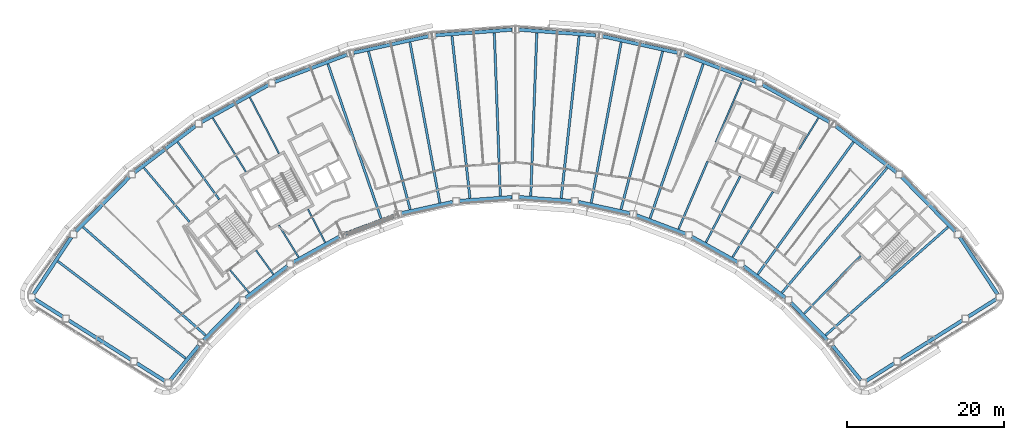
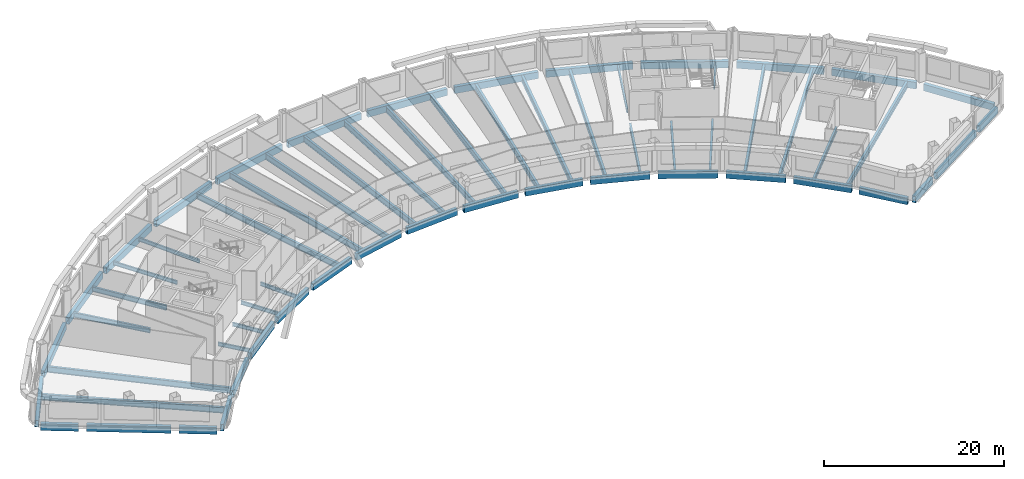
# One storey, part 3 of 16: 63 beams.
"""IFC4 building model written with IfcOpenShell, lengths in metres."""

import ifcopenshell
import ifcopenshell.guid

model = None  # the IFC model being written
_history = None  # IfcOwnerHistory: only IFC2X3 demands one
_inside = {}  # id of a spatial element -> (the spatial element, [elements in it])
_under = {}  # id of a project, library or spatial element -> (it, [spatial elements below it])
_declared = {}  # id of a project -> (the project, [libraries it declares])
_typed = {}  # id of a type object -> (the type object, [elements of that type])
_made_of = {}  # id of a material, layer set ... -> (it, [elements and type objects made of it])


def new_model(schema):
    """Start an empty IFC model of exactly this schema.

    Asked for "IFC4X3", IfcOpenShell would pick the latest addendum, in which some entities
    have other attributes; the version numbers below select the first issue.
    IFC2X3 requires an IfcOwnerHistory on every rooted entity: one is made here for all.
    """
    global model, _history
    if schema == "IFC4X3":
        model = ifcopenshell.file(schema_version=(4, 3, 0, 0))
    else:
        model = ifcopenshell.file(schema=schema)
    _inside.clear()
    _under.clear()
    _declared.clear()
    _typed.clear()
    _made_of.clear()
    _history = None
    if model.schema == "IFC2X3":
        org = make("IfcOrganization", Name="unknown")
        user = make(
            "IfcPersonAndOrganization",
            ThePerson=make("IfcPerson", FamilyName="unknown"),
            TheOrganization=org,
        )
        app = make(
            "IfcApplication",
            ApplicationDeveloper=org,
            Version="unknown",
            ApplicationFullName="unknown",
            ApplicationIdentifier="unknown",
        )
        _history = make(
            "IfcOwnerHistory",
            OwningUser=user,
            OwningApplication=app,
            ChangeAction="ADDED",
            CreationDate=0,
        )
    return model


def make(cls, **values):
    """One entity of the class cls with the attributes given. An attribute that is None is left unset."""
    return model.create_entity(
        cls, **{name: value for name, value in values.items() if value is not None}
    )


def rooted(cls, **values):
    """An entity with a GlobalId (a new one), such as an element, a storey or a relation."""
    return make(cls, GlobalId=ifcopenshell.guid.new(), OwnerHistory=_history, **values)


def si_unit(unit_type, name, prefix=None):
    """IfcSIUnit, for example si_unit("LENGTHUNIT", "METRE", prefix="MILLI")."""
    return make("IfcSIUnit", UnitType=unit_type, Prefix=prefix, Name=name)


def assignment(units):
    """IfcUnitAssignment: the units of a project."""
    return None if units is None else make("IfcUnitAssignment", Units=units)


def point(xyz):
    """IfcCartesianPoint."""
    return None if xyz is None else make("IfcCartesianPoint", Coordinates=xyz)


def direction(xyz):
    """IfcDirection."""
    return None if xyz is None else make("IfcDirection", DirectionRatios=xyz)


def frame(location, z_axis=None, x_axis=None):
    """IfcAxis2Placement3D, a coordinate frame: its origin and axes. An axis left out is left unset."""
    return make(
        "IfcAxis2Placement3D",
        Location=point(location),
        Axis=direction(z_axis),
        RefDirection=direction(x_axis),
    )


def frame_2d(location, x_axis=None):
    """IfcAxis2Placement2D, a coordinate frame in the plane: its origin and x axis."""
    return make(
        "IfcAxis2Placement2D", Location=point(location), RefDirection=direction(x_axis)
    )


def origin():
    """The frame at (0, 0, 0) with its axes left unset."""
    return frame((0.0, 0.0, 0.0))


def origin_2d():
    """The frame at (0, 0) in the plane with its x axis left unset."""
    return frame_2d((0.0, 0.0))


def place(relative_to, where):
    """IfcLocalPlacement: puts the frame where relative to a parent placement (None: the world)."""
    return make(
        "IfcLocalPlacement", PlacementRelTo=relative_to, RelativePlacement=where
    )


def context(
    kind, dimensions, precision=None, world=None, true_north=None, identifier=None
):
    """IfcGeometricRepresentationContext, for example the 3D "Model" context."""
    return make(
        "IfcGeometricRepresentationContext",
        ContextIdentifier=identifier,
        ContextType=kind,
        CoordinateSpaceDimension=dimensions,
        Precision=precision,
        WorldCoordinateSystem=world,
        TrueNorth=true_north,
    )


def subcontext(parent, identifier, kind, view, scale=None):
    """IfcGeometricRepresentationSubContext, for example "Body" below "Model"."""
    return make(
        "IfcGeometricRepresentationSubContext",
        ContextIdentifier=identifier,
        ContextType=kind,
        ParentContext=parent,
        TargetScale=scale,
        TargetView=view,
    )


def project(units=None, contexts=None):
    """IfcProject with its units and contexts."""
    return rooted(
        "IfcProject",
        Name="project",
        RepresentationContexts=contexts,
        UnitsInContext=assignment(units),
    )


def spatial(cls, under=None, at=None, **own):
    """A site, building, storey or space (cls), placed at a placement, below another one or the project."""
    s = rooted(cls, ObjectPlacement=at, **own)
    if under is not None:
        _under.setdefault(under.id(), (under, []))[1].append(s)
    return s


def profile(cls, at=None, kind="AREA", **sizes):
    """A parametric profile (cls). Its sizes go by their IFC names, for example OverallWidth=200.0."""
    return make(cls, ProfileType=kind, Position=at, **sizes)


def hollow_rectangle(**sizes):
    """IfcRectangleHollowProfileDef."""
    return profile("IfcRectangleHollowProfileDef", **sizes)


def i_section(**sizes):
    """IfcIShapeProfileDef."""
    return profile("IfcIShapeProfileDef", **sizes)


def extrude(swept, where, along, depth):
    """IfcExtrudedAreaSolid: the profile swept, set in the frame where, extruded along a direction by depth."""
    return make(
        "IfcExtrudedAreaSolid",
        SweptArea=swept,
        Position=where,
        ExtrudedDirection=direction(along),
        Depth=depth,
    )


def shape(context_of_items, identifier, shape_type, items):
    """IfcShapeRepresentation: the items that make up one representation, for example the "Body"."""
    return make(
        "IfcShapeRepresentation",
        ContextOfItems=context_of_items,
        RepresentationIdentifier=identifier,
        RepresentationType=shape_type,
        Items=items,
    )


def material(Name=None, Category=None):
    """IfcMaterial."""
    return make("IfcMaterial", Name=Name, Category=Category)


def material_profile(
    of_material, cross_section, Name=None, Category=None, Priority=None
):
    """IfcMaterialProfile: a cross section and its material."""
    return make(
        "IfcMaterialProfile",
        Name=Name,
        Material=of_material,
        Profile=cross_section,
        Priority=Priority,
        Category=Category,
    )


def profile_set(profiles, Name=None, composite=None):
    """IfcMaterialProfileSet."""
    return make(
        "IfcMaterialProfileSet",
        Name=Name,
        MaterialProfiles=profiles,
        CompositeProfile=composite,
    )


def made_of(thing, what):
    """Note that an element or type object is made of a material, layer set ...; save() writes the relation."""
    if what is not None:
        _made_of.setdefault(what.id(), (what, []))[1].append(thing)
    return thing


def type_object(cls, material=None, **own):
    """A type object (cls), such as IfcWallType, which elements share."""
    return made_of(rooted(cls, **own), material)


def element(
    cls,
    number,
    at=None,
    inside=None,
    cuts=None,
    type_object=None,
    material=None,
    context=None,
    identifier="Body",
    shape_type=None,
    held_by="IfcProductDefinitionShape",
    body=None,
    shapes=None,
    **own,
):
    """One element of the class cls, such as IfcWall. Its Tag is "e" and its number.

    at: its placement. inside: the storey or other place that contains it. cuts: it is an
    opening in that element (IfcRelVoidsElement). A single representation is given by context,
    identifier, shape_type and body (its items); several are given by shapes. held_by: the class
    of the entity that holds the representations. save() writes the other relations.
    """
    e = rooted(cls, Tag="e%d" % number, ObjectPlacement=at, **own)
    if body is not None:
        shapes = [shape(context, identifier, shape_type, body)]
    if shapes is not None:
        e.Representation = make(held_by, Representations=shapes)
    if inside is not None:
        _inside.setdefault(inside.id(), (inside, []))[1].append(e)
    if cuts is not None:
        rooted(
            "IfcRelVoidsElement", RelatingBuildingElement=cuts, RelatedOpeningElement=e
        )
    if type_object is not None:
        _typed.setdefault(type_object.id(), (type_object, []))[1].append(e)
    return made_of(e, material)


def aggregate(whole, parts):
    """IfcRelAggregates: a whole, such as a stair, and the parts it consists of."""
    return rooted("IfcRelAggregates", RelatingObject=whole, RelatedObjects=parts)


def save(model, path):
    """Write the relations noted so far, then the file.

    IfcRelAggregates (storeys below a building ...), IfcRelContainedInSpatialStructure (elements
    in a storey), IfcRelDefinesByType, IfcRelAssociatesMaterial and IfcRelDeclares: one each for
    every whole, place, type object, material and project.
    """
    for whole, parts in _under.values():
        aggregate(whole, parts)
    for where, things in _inside.values():
        rooted(
            "IfcRelContainedInSpatialStructure",
            RelatedElements=things,
            RelatingStructure=where,
        )
    for kind, things in _typed.values():
        rooted("IfcRelDefinesByType", RelatedObjects=things, RelatingType=kind)
    for what, things in _made_of.values():
        rooted("IfcRelAssociatesMaterial", RelatedObjects=things, RelatingMaterial=what)
    for by, libraries in _declared.values():
        rooted("IfcRelDeclares", RelatingContext=by, RelatedDefinitions=libraries)
    model.write(path)


model = new_model("IFC4")

# Units and contexts
model_context = context("Model", 3, precision=1e-05, world=origin(), true_north=direction((0.0, 1.0)))
body_context = subcontext(model_context, "Body", "Model", "MODEL_VIEW")
ifc_project = project(units=[si_unit("LENGTHUNIT", "METRE"), si_unit("AREAUNIT", "SQUARE_METRE"), si_unit("VOLUMEUNIT", "CUBIC_METRE"), si_unit("PLANEANGLEUNIT", "RADIAN"), si_unit("MASSUNIT", "GRAM", prefix="KILO")], contexts=[model_context])

# Site, building, storey
site_placement = place(None, origin())
site = spatial("IfcSite", under=ifc_project, at=site_placement, CompositionType="ELEMENT")
building_placement = place(site_placement, origin())
building = spatial("IfcBuilding", under=site, at=building_placement, Name="Tuul Gate Civic Tower", CompositionType="ELEMENT")
storey_placement = place(building_placement, frame((0.0, 0.0, 184.699951171875)))
storey = spatial("IfcBuildingStorey", under=building, at=storey_placement, Name="Level 42", CompositionType="ELEMENT", Elevation=184.699951171875)

# Beams
ifc_material_1 = material(Name="Steel S355", Category="steel")
ifc_material_profile_1 = material_profile(ifc_material_1, i_section(OverallWidth=0.199951171875, OverallDepth=0.5, WebThickness=0.010009765625, FlangeThickness=0.01611328125, at=origin_2d()), Name="PG500x200x10x16")
ifc_profile_set_1 = profile_set([ifc_material_profile_1], Name="Steel S355")
beam_type_1 = type_object("IfcBeamType", Name="STR-FLOOR BEAM-PG500x200x10x16", PredefinedType="BEAM", material=ifc_profile_set_1)
beam_1_placement = place(storey_placement, frame((37.12646484375, -1.677734375, -0.550048828125), z_axis=(0.524844644299, 0.85119803768, 0.0), x_axis=(-0.85119803768, 0.524844644299, 0.0)))
element("IfcBeam", 1, at=beam_1_placement, inside=storey, type_object=beam_type_1, Name="Floor beam", PredefinedType="BEAM", context=body_context, shape_type="SweptSolid", body=[
    extrude(i_section(OverallWidth=0.199951171875, OverallDepth=0.5, WebThickness=0.010009765625, FlangeThickness=0.01611328125, at=origin_2d()), origin(), (0.0, 0.0, 1.0), 4.683837890625),
])
beam_2_placement = place(storey_placement, frame((26.525390625, -0.75048828125, -0.550048828125), z_axis=(0.394205580746, 0.919022284882, 0.0), x_axis=(-0.919022284882, 0.394205580746, 0.0)))
element("IfcBeam", 2, at=beam_2_placement, inside=storey, type_object=beam_type_1, Name="Floor beam", PredefinedType="BEAM", context=body_context, shape_type="SweptSolid", body=[
    extrude(i_section(OverallWidth=0.199951171875, OverallDepth=0.5, WebThickness=0.010009765625, FlangeThickness=0.01611328125, at=origin_2d()), origin(), (0.0, 0.0, 1.0), 8.748046875),
])
beam_3_placement = place(storey_placement, frame((-23.281494140625, -13.532958984375, -0.550048828125), z_axis=(-0.460788847224, 0.887509796157, 0.0), x_axis=(-0.887509796157, -0.460788847224, 0.0)))
element("IfcBeam", 3, at=beam_3_placement, inside=storey, type_object=beam_type_1, Name="Floor beam", PredefinedType="BEAM", context=body_context, shape_type="SweptSolid", body=[
    extrude(i_section(OverallWidth=0.199951171875, OverallDepth=0.5, WebThickness=0.010009765625, FlangeThickness=0.01611328125, at=origin_2d()), origin(), (0.0, 0.0, 1.0), 4.75830078125),
])
beam_4_placement = place(storey_placement, frame((-29.16162109375, -2.207275390625, -0.550048828125), z_axis=(-0.460778504814, 0.887515165787, 0.0), x_axis=(-0.887515165787, -0.460778504814, 0.0)))
element("IfcBeam", 4, at=beam_4_placement, inside=storey, type_object=beam_type_1, Name="Floor beam", PredefinedType="BEAM", context=body_context, shape_type="SweptSolid", body=[
    extrude(i_section(OverallWidth=0.199951171875, OverallDepth=0.5, WebThickness=0.010009765625, FlangeThickness=0.01611328125, at=origin_2d()), origin(), (0.0, 0.0, 1.0), 8.046630859375),
])
beam_5_placement = place(storey_placement, frame((-26.676513671875, -15.414306640625, -0.550048828125), z_axis=(-0.524841029393, 0.851200266603, 0.0), x_axis=(-0.851200266603, -0.524841029393, 0.0)))
element("IfcBeam", 5, at=beam_5_placement, inside=storey, type_object=beam_type_1, Name="Floor beam", PredefinedType="BEAM", context=body_context, shape_type="SweptSolid", body=[
    extrude(i_section(OverallWidth=0.199951171875, OverallDepth=0.5, WebThickness=0.010009765625, FlangeThickness=0.01611328125, at=origin_2d()), origin(), (0.0, 0.0, 1.0), 4.761474609375),
])
beam_6_placement = place(storey_placement, frame((-33.378662109375, -4.544677734375, -0.550048828125), z_axis=(-0.52487369229, 0.851180126143, 0.0), x_axis=(-0.851180126143, -0.52487369229, 0.0)))
element("IfcBeam", 6, at=beam_6_placement, inside=storey, type_object=beam_type_1, Name="Floor beam", PredefinedType="BEAM", context=body_context, shape_type="SweptSolid", body=[
    extrude(i_section(OverallWidth=0.199951171875, OverallDepth=0.5, WebThickness=0.010009765625, FlangeThickness=0.01611328125, at=origin_2d()), origin(), (0.0, 0.0, 1.0), 8.052001953125),
])
beam_7_placement = place(storey_placement, frame((-29.880126953125, -17.60546875, -0.550048828125), z_axis=(-0.586071028006, 0.810259680678, 0.0), x_axis=(-0.810259680678, -0.586071028006, 0.0)))
element("IfcBeam", 7, at=beam_7_placement, inside=storey, type_object=beam_type_1, Name="Floor beam", PredefinedType="BEAM", context=body_context, shape_type="SweptSolid", body=[
    extrude(i_section(OverallWidth=0.199951171875, OverallDepth=0.5, WebThickness=0.010009765625, FlangeThickness=0.01611328125, at=origin_2d()), origin(), (0.0, 0.0, 1.0), 3.776611328125),
])
beam_8_placement = place(storey_placement, frame((-32.96826171875, -19.95703125, -0.550048828125), z_axis=(-0.644139723265, 0.764907848641, 0.0), x_axis=(-0.764907848641, -0.644139723265, 0.0)))
element("IfcBeam", 8, at=beam_8_placement, inside=storey, type_object=beam_type_1, Name="Floor beam", PredefinedType="BEAM", context=body_context, shape_type="SweptSolid", body=[
    extrude(i_section(OverallWidth=0.199951171875, OverallDepth=0.5, WebThickness=0.010009765625, FlangeThickness=0.01611328125, at=origin_2d()), origin(), (0.0, 0.0, 1.0), 3.7802734375),
])
ifc_material_2 = material(Name="Steel S355", Category="steel")
ifc_material_profile_2 = material_profile(ifc_material_2, i_section(OverallWidth=0.25, OverallDepth=0.64990234375, WebThickness=0.011962890625, FlangeThickness=0.02001953125, at=origin_2d()), Name="PG650x250x12x20")
ifc_profile_set_2 = profile_set([ifc_material_profile_2], Name="Steel S355")
beam_type_2 = type_object("IfcBeamType", Name="STR-FLOOR BEAM-PG650x250x12x20", PredefinedType="BEAM", material=ifc_profile_set_2)
beam_9_placement = place(storey_placement, frame((37.78857421875, -22.6025390625, -0.625), z_axis=(0.698688167973, 0.715426337182, 0.0), x_axis=(-0.715426337182, 0.698688167973, 0.0)))
element("IfcBeam", 9, at=beam_9_placement, inside=storey, type_object=beam_type_2, Name="Floor beam", PredefinedType="BEAM", context=body_context, shape_type="SweptSolid", body=[
    extrude(i_section(OverallWidth=0.25, OverallDepth=0.64990234375, WebThickness=0.011962890625, FlangeThickness=0.02001953125, at=origin_2d()), origin(), (0.0, 0.0, 1.0), 10.297607421875),
])
beam_10_placement = place(storey_placement, frame((28.656005859375, -15.41455078125, -0.625), z_axis=(0.524868843882, 0.851183115858, 0.0), x_axis=(-0.851183115858, 0.524868843882, 0.0)))
element("IfcBeam", 10, at=beam_10_placement, inside=storey, type_object=beam_type_2, Name="Floor beam", PredefinedType="BEAM", context=body_context, shape_type="SweptSolid", body=[
    extrude(i_section(OverallWidth=0.25, OverallDepth=0.64990234375, WebThickness=0.011962890625, FlangeThickness=0.02001953125, at=origin_2d()), origin(), (0.0, 0.0, 1.0), 9.79736328125),
])
beam_11_placement = place(storey_placement, frame((25.261474609375, -13.532958984375, -0.625), z_axis=(0.460764890878, 0.887522233713, 0.0), x_axis=(-0.887522233713, 0.460764890878, 0.0)))
element("IfcBeam", 11, at=beam_11_placement, inside=storey, type_object=beam_type_2, Name="Floor beam", PredefinedType="BEAM", context=body_context, shape_type="SweptSolid", body=[
    extrude(i_section(OverallWidth=0.25, OverallDepth=0.64990234375, WebThickness=0.011962890625, FlangeThickness=0.02001953125, at=origin_2d()), origin(), (0.0, 0.0, 1.0), 9.46923828125),
])
beam_12_placement = place(storey_placement, frame((21.7666015625, -11.84521484375, -0.625), z_axis=(0.394179109601, 0.919033638968, 0.0), x_axis=(-0.919033638968, 0.394179109601, 0.0)))
element("IfcBeam", 12, at=beam_12_placement, inside=storey, type_object=beam_type_2, Name="Floor beam", PredefinedType="BEAM", context=body_context, shape_type="SweptSolid", body=[
    extrude(i_section(OverallWidth=0.25, OverallDepth=0.64990234375, WebThickness=0.011962890625, FlangeThickness=0.02001953125, at=origin_2d()), origin(), (0.0, 0.0, 1.0), 9.41259765625),
])
beam_13_placement = place(storey_placement, frame((-36.783447265625, -8.061767578125, -0.625), z_axis=(-0.586088809685, 0.810246818668, 0.0), x_axis=(-0.810246818668, -0.586088809685, 0.0)))
element("IfcBeam", 13, at=beam_13_placement, inside=storey, type_object=beam_type_2, Name="Floor beam", PredefinedType="BEAM", context=body_context, shape_type="SweptSolid", body=[
    extrude(i_section(OverallWidth=0.25, OverallDepth=0.64990234375, WebThickness=0.011962890625, FlangeThickness=0.02001953125, at=origin_2d()), origin(), (0.0, 0.0, 1.0), 9.02685546875),
])
beam_14_placement = place(storey_placement, frame((-40.5625, -10.93896484375, -0.625), z_axis=(-0.644130753202, 0.764915402368, 0.0), x_axis=(-0.764915402368, -0.644130753202, 0.0)))
element("IfcBeam", 14, at=beam_14_placement, inside=storey, type_object=beam_type_2, Name="Floor beam", PredefinedType="BEAM", context=body_context, shape_type="SweptSolid", body=[
    extrude(i_section(OverallWidth=0.25, OverallDepth=0.64990234375, WebThickness=0.011962890625, FlangeThickness=0.02001953125, at=origin_2d()), origin(), (0.0, 0.0, 1.0), 9.03515625),
])
ifc_material_3 = material(Name="Steel S355", Category="steel")
ifc_material_profile_3 = material_profile(ifc_material_3, i_section(OverallWidth=0.300048828125, OverallDepth=0.800048828125, WebThickness=0.013916015625, FlangeThickness=0.02490234375, at=origin_2d()), Name="PG800x300x14x25")
ifc_profile_set_3 = profile_set([ifc_material_profile_3], Name="Steel S355")
beam_type_3 = type_object("IfcBeamType", Name="STR-FLOOR BEAM-PG800x300x14x25", PredefinedType="BEAM", material=ifc_profile_set_3)
beam_15_placement = place(storey_placement, frame((40.505615234375, -25.375, -0.699951171875), z_axis=(0.749453243269, 0.662057275584, 0.0), x_axis=(-0.662057275584, 0.749453243269, 0.0)))
element("IfcBeam", 15, at=beam_15_placement, inside=storey, type_object=beam_type_3, Name="Floor beam", PredefinedType="BEAM", context=body_context, shape_type="SweptSolid", body=[
    extrude(i_section(OverallWidth=0.300048828125, OverallDepth=0.800048828125, WebThickness=0.013916015625, FlangeThickness=0.02490234375, at=origin_2d()), origin(), (0.0, 0.0, 1.0), 20.828369140625),
])
beam_16_placement = place(storey_placement, frame((34.9482421875, -19.95703125, -0.699951171875), z_axis=(0.644134662718, 0.76491211017, 0.0), x_axis=(-0.76491211017, 0.644134662718, 0.0)))
element("IfcBeam", 16, at=beam_16_placement, inside=storey, type_object=beam_type_3, Name="Floor beam", PredefinedType="BEAM", context=body_context, shape_type="SweptSolid", body=[
    extrude(i_section(OverallWidth=0.300048828125, OverallDepth=0.800048828125, WebThickness=0.013916015625, FlangeThickness=0.02490234375, at=origin_2d()), origin(), (0.0, 0.0, 1.0), 20.824462890625),
])
beam_17_placement = place(storey_placement, frame((31.859619140625, -17.605712890625, -0.699951171875), z_axis=(0.586088482084, 0.810247055637, 0.0), x_axis=(-0.810247055637, 0.586088482084, 0.0)))
element("IfcBeam", 17, at=beam_17_placement, inside=storey, type_object=beam_type_3, Name="Floor beam", PredefinedType="BEAM", context=body_context, shape_type="SweptSolid", body=[
    extrude(i_section(OverallWidth=0.300048828125, OverallDepth=0.800048828125, WebThickness=0.013916015625, FlangeThickness=0.02490234375, at=origin_2d()), origin(), (0.0, 0.0, 1.0), 20.805908203125),
])
beam_18_placement = place(storey_placement, frame((18.13623046875, -10.472412109375, -0.699951171875), z_axis=(0.325483363772, 0.945547767121, 0.0), x_axis=(-0.945547767121, 0.325483363772, 0.0)))
element("IfcBeam", 18, at=beam_18_placement, inside=storey, type_object=beam_type_3, Name="Floor beam", PredefinedType="BEAM", context=body_context, shape_type="SweptSolid", body=[
    extrude(i_section(OverallWidth=0.300048828125, OverallDepth=0.800048828125, WebThickness=0.013916015625, FlangeThickness=0.02490234375, at=origin_2d()), origin(), (0.0, 0.0, 1.0), 20.8095703125),
])
beam_19_placement = place(storey_placement, frame((14.428466796875, -9.325927734375, -0.699951171875), z_axis=(0.255004720301, 0.96693980817, 0.0), x_axis=(-0.96693980817, 0.255004720301, 0.0)))
element("IfcBeam", 19, at=beam_19_placement, inside=storey, type_object=beam_type_3, Name="Floor beam", PredefinedType="BEAM", context=body_context, shape_type="SweptSolid", body=[
    extrude(i_section(OverallWidth=0.300048828125, OverallDepth=0.800048828125, WebThickness=0.013916015625, FlangeThickness=0.02490234375, at=origin_2d()), origin(), (0.0, 0.0, 1.0), 20.817626953125),
])
beam_20_placement = place(storey_placement, frame((10.638427734375, -8.49072265625, -0.699951171875), z_axis=(0.183147342328, 0.98308547492, 0.0), x_axis=(-0.98308547492, 0.183147342328, 0.0)))
element("IfcBeam", 20, at=beam_20_placement, inside=storey, type_object=beam_type_3, Name="Floor beam", PredefinedType="BEAM", context=body_context, shape_type="SweptSolid", body=[
    extrude(i_section(OverallWidth=0.300048828125, OverallDepth=0.800048828125, WebThickness=0.013916015625, FlangeThickness=0.02490234375, at=origin_2d()), origin(), (0.0, 0.0, 1.0), 20.811279296875),
])
beam_21_placement = place(storey_placement, frame((6.80126953125, -7.91064453125, -0.699951171875), z_axis=(0.1102757583, 0.993901029847, 0.0), x_axis=(-0.993901029847, 0.1102757583, 0.0)))
element("IfcBeam", 21, at=beam_21_placement, inside=storey, type_object=beam_type_3, Name="Floor beam", PredefinedType="BEAM", context=body_context, shape_type="SweptSolid", body=[
    extrude(i_section(OverallWidth=0.300048828125, OverallDepth=0.800048828125, WebThickness=0.013916015625, FlangeThickness=0.02490234375, at=origin_2d()), origin(), (0.0, 0.0, 1.0), 20.815185546875),
])
for number, where, z_axis, x_axis, name in (
    (22, (2.930419921875, -7.630126953125, -0.699951171875), (0.036820332995, 0.99932190163, 0.0), (-0.99932190163, 0.036820332995, 0.0), "Floor beam"),
    (23, (-0.950439453125, -7.630126953125, -0.699951171875), (-0.036832047042, 0.999321469954, 0.0), (-0.999321469954, -0.036832047042, 0.0), "Floor beam"),
):
    element("IfcBeam", number, at=place(storey_placement, frame(where, z_axis=z_axis, x_axis=x_axis)), inside=storey, type_object=beam_type_3, Name=name, PredefinedType="BEAM", context=body_context, shape_type="SweptSolid", body=[
        extrude(i_section(OverallWidth=0.300048828125, OverallDepth=0.800048828125, WebThickness=0.013916015625, FlangeThickness=0.02490234375, at=origin_2d()), origin(), (0.0, 0.0, 1.0), 20.8134765625),
    ])
beam_22_placement = place(storey_placement, frame((-4.8212890625, -7.91064453125, -0.699951171875), z_axis=(-0.110287344613, 0.993899744249, 0.0), x_axis=(-0.993899744249, -0.110287344613, 0.0)))
element("IfcBeam", 24, at=beam_22_placement, inside=storey, type_object=beam_type_3, Name="Floor beam", PredefinedType="BEAM", context=body_context, shape_type="SweptSolid", body=[
    extrude(i_section(OverallWidth=0.300048828125, OverallDepth=0.800048828125, WebThickness=0.013916015625, FlangeThickness=0.02490234375, at=origin_2d()), origin(), (0.0, 0.0, 1.0), 20.815185546875),
])
beam_23_placement = place(storey_placement, frame((-8.658447265625, -8.49072265625, -0.699951171875), z_axis=(-0.183145230157, 0.983085868412, 0.0), x_axis=(-0.983085868412, -0.183145230157, 0.0)))
element("IfcBeam", 25, at=beam_23_placement, inside=storey, type_object=beam_type_3, Name="Floor beam", PredefinedType="BEAM", context=body_context, shape_type="SweptSolid", body=[
    extrude(i_section(OverallWidth=0.300048828125, OverallDepth=0.800048828125, WebThickness=0.013916015625, FlangeThickness=0.02490234375, at=origin_2d()), origin(), (0.0, 0.0, 1.0), 20.8115234375),
])
beam_24_placement = place(storey_placement, frame((-12.44873046875, -9.325927734375, -0.699951171875), z_axis=(-0.255004720301, 0.96693980817, 0.0), x_axis=(-0.96693980817, -0.255004720301, 0.0)))
element("IfcBeam", 26, at=beam_24_placement, inside=storey, type_object=beam_type_3, Name="Floor beam", PredefinedType="BEAM", context=body_context, shape_type="SweptSolid", body=[
    extrude(i_section(OverallWidth=0.300048828125, OverallDepth=0.800048828125, WebThickness=0.013916015625, FlangeThickness=0.02490234375, at=origin_2d()), origin(), (0.0, 0.0, 1.0), 20.817626953125),
])
beam_25_placement = place(storey_placement, frame((-16.15625, -10.47265625, -0.699951171875), z_axis=(-0.325493852911, 0.945544156408, 0.0), x_axis=(-0.945544156408, -0.325493852911, 0.0)))
element("IfcBeam", 27, at=beam_25_placement, inside=storey, type_object=beam_type_3, Name="Floor beam", PredefinedType="BEAM", context=body_context, shape_type="SweptSolid", body=[
    extrude(i_section(OverallWidth=0.300048828125, OverallDepth=0.800048828125, WebThickness=0.013916015625, FlangeThickness=0.02490234375, at=origin_2d()), origin(), (0.0, 0.0, 1.0), 20.809814453125),
])
beam_26_placement = place(storey_placement, frame((-38.525634765625, -25.375, -0.699951171875), z_axis=(-0.749453243269, 0.662057275584, 0.0), x_axis=(-0.662057275584, -0.749453243269, 0.0)))
element("IfcBeam", 28, at=beam_26_placement, inside=storey, type_object=beam_type_3, Name="Floor beam", PredefinedType="BEAM", context=body_context, shape_type="SweptSolid", body=[
    extrude(i_section(OverallWidth=0.300048828125, OverallDepth=0.800048828125, WebThickness=0.013916015625, FlangeThickness=0.02490234375, at=origin_2d()), origin(), (0.0, 0.0, 1.0), 20.828369140625),
])
beam_27_placement = place(storey_placement, frame((-41.064697265625, -28.31982421875, -0.699951171875), z_axis=(-0.796156676215, 0.60509052787, 0.0), x_axis=(-0.60509052787, -0.796156676215, 0.0)))
element("IfcBeam", 29, at=beam_27_placement, inside=storey, type_object=beam_type_3, Name="Floor beam", PredefinedType="BEAM", context=body_context, shape_type="SweptSolid", body=[
    extrude(i_section(OverallWidth=0.300048828125, OverallDepth=0.800048828125, WebThickness=0.013916015625, FlangeThickness=0.02490234375, at=origin_2d()), origin(), (0.0, 0.0, 1.0), 20.46240234375),
])
ifc_material_4 = material(Name="Steel S355", Category="steel")
ifc_material_profile_4 = material_profile(ifc_material_4, hollow_rectangle(XDim=0.449951171875, YDim=0.89990234375, WallThickness=0.02490234375, at=origin_2d()), Name="BOX900x450x25")
ifc_profile_set_4 = profile_set([ifc_material_profile_4], Name="Steel S355")
beam_type_4 = type_object("IfcBeamType", Name="STR-SPANDREL BEAM-BOX900x450x25", PredefinedType="BEAM", material=ifc_profile_set_4)
beam_28_placement = place(storey_placement, frame((62.412841796875, -20.1376953125, -0.75), z_axis=(-0.551603333342, 0.834106565521, 0.0), x_axis=(-0.834106565521, -0.551603333342, 0.0)))
element("IfcBeam", 30, at=beam_28_placement, inside=storey, type_object=beam_type_4, Name="Spandrel beam", PredefinedType="BEAM", context=body_context, shape_type="SweptSolid", body=[
    extrude(hollow_rectangle(XDim=0.449951171875, YDim=0.89990234375, WallThickness=0.02490234375, at=origin_2d()), origin(), (0.0, 0.0, 1.0), 8.706787109375),
])
beam_29_placement = place(storey_placement, frame((57.046875, -12.1787109375, -0.75), z_axis=(-0.700043201451, 0.7141004944, 0.0), x_axis=(-0.7141004944, -0.700043201451, 0.0)))
element("IfcBeam", 31, at=beam_29_placement, inside=storey, type_object=beam_type_4, Name="Spandrel beam", PredefinedType="BEAM", context=body_context, shape_type="SweptSolid", body=[
    extrude(hollow_rectangle(XDim=0.449951171875, YDim=0.89990234375, WallThickness=0.02490234375, at=origin_2d()), origin(), (0.0, 0.0, 1.0), 9.77783203125),
])
for number, where, z_axis, x_axis, name in (
    (32, (49.529052734375, -4.602294921875, -0.75), (-0.795643188576, 0.605765562303, 0.0), (-0.605765562303, -0.795643188576, 0.0), "Spandrel beam"),
    (33, (40.99853515625, 1.811279296875, -0.75), (-0.874595083596, 0.484854039634, 0.0), (-0.484854039634, -0.874595083596, 0.0), "Spandrel beam"),
):
    element("IfcBeam", number, at=place(storey_placement, frame(where, z_axis=z_axis, x_axis=x_axis)), inside=storey, type_object=beam_type_4, Name=name, PredefinedType="BEAM", context=body_context, shape_type="SweptSolid", body=[
        extrude(hollow_rectangle(XDim=0.449951171875, YDim=0.89990234375, WallThickness=0.02490234375, at=origin_2d()), origin(), (0.0, 0.0, 1.0), 9.777099609375),
    ])
beam_30_placement = place(storey_placement, frame((31.633056640625, 6.92919921875, -0.75), z_axis=(-0.935371339929, 0.353667154878, 0.0), x_axis=(-0.353667154878, -0.935371339929, 0.0)))
element("IfcBeam", 34, at=beam_30_placement, inside=storey, type_object=beam_type_4, Name="Spandrel beam", PredefinedType="BEAM", context=body_context, shape_type="SweptSolid", body=[
    extrude(hollow_rectangle(XDim=0.449951171875, YDim=0.89990234375, WallThickness=0.02490234375, at=origin_2d()), origin(), (0.0, 0.0, 1.0), 9.77685546875),
])
beam_31_placement = place(storey_placement, frame((21.62744140625, 10.642822265625, -0.75), z_axis=(-0.976570324129, 0.215198517722, 0.0), x_axis=(-0.215198517722, -0.976570324129, 0.0)))
element("IfcBeam", 35, at=beam_31_placement, inside=storey, type_object=beam_type_4, Name="Spandrel beam", PredefinedType="BEAM", context=body_context, shape_type="SweptSolid", body=[
    extrude(hollow_rectangle(XDim=0.449951171875, YDim=0.89990234375, WallThickness=0.02490234375, at=origin_2d()), origin(), (0.0, 0.0, 1.0), 9.778076171875),
])
beam_32_placement = place(storey_placement, frame((11.190185546875, 12.87646484375, -0.75), z_axis=(-0.997381821188, 0.07231530104, 0.0), x_axis=(-0.07231530104, -0.997381821188, 0.0)))
element("IfcBeam", 36, at=beam_32_placement, inside=storey, type_object=beam_type_4, Name="Spandrel beam", PredefinedType="BEAM", context=body_context, shape_type="SweptSolid", body=[
    extrude(hollow_rectangle(XDim=0.449951171875, YDim=0.89990234375, WallThickness=0.02490234375, at=origin_2d()), origin(), (0.0, 0.0, 1.0), 9.777099609375),
])
beam_33_placement = place(storey_placement, frame((0.541259765625, 13.58349609375, -0.75), z_axis=(-0.997382343448, -0.072308097597, 0.0), x_axis=(0.072308097597, -0.997382343448, 0.0)))
element("IfcBeam", 37, at=beam_33_placement, inside=storey, type_object=beam_type_4, Name="Spandrel beam", PredefinedType="BEAM", context=body_context, shape_type="SweptSolid", body=[
    extrude(hollow_rectangle(XDim=0.449951171875, YDim=0.89990234375, WallThickness=0.02490234375, at=origin_2d()), origin(), (0.0, 0.0, 1.0), 9.778076171875),
])
for number, where, z_axis, x_axis, name in (
    (38, (-10.099365234375, 12.7470703125, -0.75), (-0.976565698355, -0.215219508403, 0.0), (0.215219508403, -0.976565698355, 0.0), "Spandrel beam"),
    (39, (-20.5078125, 10.386962890625, -0.75), (-0.935374463229, -0.35365889433, 0.0), (0.35365889433, -0.935374463229, 0.0), "Spandrel beam"),
    (40, (-30.467529296875, 6.5517578125, -0.75), (-0.874595083596, -0.484854039634, 0.0), (0.484854039634, -0.874595083596, 0.0), "Spandrel beam"),
):
    element("IfcBeam", number, at=place(storey_placement, frame(where, z_axis=z_axis, x_axis=x_axis)), inside=storey, type_object=beam_type_4, Name=name, PredefinedType="BEAM", context=body_context, shape_type="SweptSolid", body=[
        extrude(hollow_rectangle(XDim=0.449951171875, YDim=0.89990234375, WallThickness=0.02490234375, at=origin_2d()), origin(), (0.0, 0.0, 1.0), 9.777099609375),
    ])
beam_34_placement = place(storey_placement, frame((-39.77001953125, 1.3203125, -0.75), z_axis=(-0.795667802621, -0.605733231606, 0.0), x_axis=(0.605733231606, -0.795667802621, 0.0)))
element("IfcBeam", 41, at=beam_34_placement, inside=storey, type_object=beam_type_4, Name="Spandrel beam", PredefinedType="BEAM", context=body_context, shape_type="SweptSolid", body=[
    extrude(hollow_rectangle(XDim=0.449951171875, YDim=0.89990234375, WallThickness=0.02490234375, at=origin_2d()), origin(), (0.0, 0.0, 1.0), 9.778076171875),
])
beam_35_placement = place(storey_placement, frame((-48.222900390625, -5.1962890625, -0.75), z_axis=(-0.699992266311, -0.714150423304, 0.0), x_axis=(0.714150423304, -0.699992266311, 0.0)))
element("IfcBeam", 42, at=beam_35_placement, inside=storey, type_object=beam_type_4, Name="Spandrel beam", PredefinedType="BEAM", context=body_context, shape_type="SweptSolid", body=[
    extrude(hollow_rectangle(XDim=0.449951171875, YDim=0.89990234375, WallThickness=0.02490234375, at=origin_2d()), origin(), (0.0, 0.0, 1.0), 9.77734375),
])
beam_36_placement = place(storey_placement, frame((-55.630126953125, -12.875244140625, -0.75), z_axis=(-0.551603333342, -0.834106565521, 0.0), x_axis=(0.834106565521, -0.551603333342, 0.0)))
element("IfcBeam", 43, at=beam_36_placement, inside=storey, type_object=beam_type_4, Name="Spandrel beam", PredefinedType="BEAM", context=body_context, shape_type="SweptSolid", body=[
    extrude(hollow_rectangle(XDim=0.449951171875, YDim=0.89990234375, WallThickness=0.02490234375, at=origin_2d()), origin(), (0.0, 0.0, 1.0), 8.706787109375),
])
beam_37_placement = place(storey_placement, frame((-60.30029296875, -20.752685546875, -0.75), z_axis=(0.846210678029, -0.53284846663, 0.0), x_axis=(0.53284846663, 0.846210678029, 0.0)))
element("IfcBeam", 44, at=beam_37_placement, inside=storey, type_object=beam_type_4, Name="Spandrel beam", PredefinedType="BEAM", context=body_context, shape_type="SweptSolid", body=[
    extrude(hollow_rectangle(XDim=0.449951171875, YDim=0.89990234375, WallThickness=0.02490234375, at=origin_2d()), origin(), (0.0, 0.0, 1.0), 4.231201171875),
])
beam_38_placement = place(storey_placement, frame((-55.958251953125, -23.48681640625, -0.75), z_axis=(0.846197569515, -0.532869283545, 0.0), x_axis=(0.532869283545, 0.846197569515, 0.0)))
element("IfcBeam", 45, at=beam_38_placement, inside=storey, type_object=beam_type_4, Name="Spandrel beam", PredefinedType="BEAM", context=body_context, shape_type="SweptSolid", body=[
    extrude(hollow_rectangle(XDim=0.449951171875, YDim=0.89990234375, WallThickness=0.02490234375, at=origin_2d()), origin(), (0.0, 0.0, 1.0), 9.363525390625),
])
beam_39_placement = place(storey_placement, frame((-47.273193359375, -28.955810546875, -0.75), z_axis=(0.846181780982, -0.532894354947, 0.0), x_axis=(0.532894354947, 0.846181780982, 0.0)))
element("IfcBeam", 46, at=beam_39_placement, inside=storey, type_object=beam_type_4, Name="Spandrel beam", PredefinedType="BEAM", context=body_context, shape_type="SweptSolid", body=[
    extrude(hollow_rectangle(XDim=0.449951171875, YDim=0.89990234375, WallThickness=0.02490234375, at=origin_2d()), origin(), (0.0, 0.0, 1.0), 4.232421875),
])
beam_40_placement = place(storey_placement, frame((-43.025634765625, -31.10302734375, -0.75), z_axis=(0.63441351957, 0.772993846151, 0.0), x_axis=(-0.772993846151, 0.63441351957, 0.0)))
element("IfcBeam", 47, at=beam_40_placement, inside=storey, type_object=beam_type_4, Name="Spandrel beam", PredefinedType="BEAM", context=body_context, shape_type="SweptSolid", body=[
    extrude(hollow_rectangle(XDim=0.449951171875, YDim=0.89990234375, WallThickness=0.02490234375, at=origin_2d()), origin(), (0.0, 0.0, 1.0), 5.751953125),
])
beam_41_placement = place(storey_placement, frame((-38.776123046875, -25.987548828125, -0.75), z_axis=(0.699975106634, 0.714167242383, 0.0), x_axis=(-0.714167242383, 0.699975106634, 0.0)))
element("IfcBeam", 48, at=beam_41_placement, inside=storey, type_object=beam_type_4, Name="Spandrel beam", PredefinedType="BEAM", context=body_context, shape_type="SweptSolid", body=[
    extrude(hollow_rectangle(XDim=0.449951171875, YDim=0.89990234375, WallThickness=0.02490234375, at=origin_2d()), origin(), (0.0, 0.0, 1.0), 6.69189453125),
])
for number, where, z_axis, x_axis, name in (
    (49, (-33.4189453125, -20.614501953125, -0.75), (0.795605051583, 0.605815650091, 0.0), (-0.605815650091, 0.795605051583, 0.0), "Spandrel beam"),
    (50, (-27.343505859375, -16.06982421875, -0.75), (0.87466619377, 0.48472574666, 0.0), (-0.48472574666, 0.87466619377, 0.0), "Spandrel beam"),
):
    element("IfcBeam", number, at=place(storey_placement, frame(where, z_axis=z_axis, x_axis=x_axis)), inside=storey, type_object=beam_type_4, Name=name, PredefinedType="BEAM", context=body_context, shape_type="SweptSolid", body=[
        extrude(hollow_rectangle(XDim=0.449951171875, YDim=0.89990234375, WallThickness=0.02490234375, at=origin_2d()), origin(), (0.0, 0.0, 1.0), 6.691650390625),
    ])
beam_42_placement = place(storey_placement, frame((-20.676025390625, -12.44873046875, -0.75), z_axis=(0.935376636167, 0.353653147184, 0.0), x_axis=(-0.353653147184, 0.935376636167, 0.0)))
element("IfcBeam", 51, at=beam_42_placement, inside=storey, type_object=beam_type_4, Name="Spandrel beam", PredefinedType="BEAM", context=body_context, shape_type="SweptSolid", body=[
    extrude(hollow_rectangle(XDim=0.449951171875, YDim=0.89990234375, WallThickness=0.02490234375, at=origin_2d()), origin(), (0.0, 0.0, 1.0), 6.69140625),
])
beam_43_placement = place(storey_placement, frame((-13.556640625, -9.826171875, -0.75), z_axis=(0.976559873442, 0.215245937437, 0.0), x_axis=(-0.215245937437, 0.976559873442, 0.0)))
element("IfcBeam", 52, at=beam_43_placement, inside=storey, type_object=beam_type_4, Name="Spandrel beam", PredefinedType="BEAM", context=body_context, shape_type="SweptSolid", body=[
    extrude(hollow_rectangle(XDim=0.449951171875, YDim=0.89990234375, WallThickness=0.02490234375, at=origin_2d()), origin(), (0.0, 0.0, 1.0), 6.692138671875),
])
beam_44_placement = place(storey_placement, frame((-6.133056640625, -8.25634765625, -0.75), z_axis=(0.997382203544, 0.07231002734, 0.0), x_axis=(-0.07231002734, 0.997382203544, 0.0)))
element("IfcBeam", 53, at=beam_44_placement, inside=storey, type_object=beam_type_4, Name="Spandrel beam", PredefinedType="BEAM", context=body_context, shape_type="SweptSolid", body=[
    extrude(hollow_rectangle(XDim=0.449951171875, YDim=0.89990234375, WallThickness=0.02490234375, at=origin_2d()), origin(), (0.0, 0.0, 1.0), 6.69189453125),
])
for number, where, z_axis, x_axis, name in (
    (54, (1.438720703125, -7.7724609375, -0.75), (0.997382394296, -0.072307396229, 0.0), (0.072307396229, 0.997382394296, 0.0), "Spandrel beam"),
    (55, (9.00146484375, -8.3857421875, -0.75), (0.976559873442, -0.215245937437, 0.0), (0.215245937437, 0.976559873442, 0.0), "Spandrel beam"),
):
    element("IfcBeam", number, at=place(storey_placement, frame(where, z_axis=z_axis, x_axis=x_axis)), inside=storey, type_object=beam_type_4, Name=name, PredefinedType="BEAM", context=body_context, shape_type="SweptSolid", body=[
        extrude(hollow_rectangle(XDim=0.449951171875, YDim=0.89990234375, WallThickness=0.02490234375, at=origin_2d()), origin(), (0.0, 0.0, 1.0), 6.692138671875),
    ])
beam_45_placement = place(storey_placement, frame((16.39697265625, -10.082275390625, -0.75), z_axis=(0.935376636167, -0.353653147184, 0.0), x_axis=(0.353653147184, 0.935376636167, 0.0)))
element("IfcBeam", 56, at=beam_45_placement, inside=storey, type_object=beam_type_4, Name="Spandrel beam", PredefinedType="BEAM", context=body_context, shape_type="SweptSolid", body=[
    extrude(hollow_rectangle(XDim=0.449951171875, YDim=0.89990234375, WallThickness=0.02490234375, at=origin_2d()), origin(), (0.0, 0.0, 1.0), 6.69140625),
])
beam_46_placement = place(storey_placement, frame((23.470458984375, -12.826171875, -0.75), z_axis=(0.874631898268, -0.484787626216, 0.0), x_axis=(0.484787626216, 0.874631898268, 0.0)))
element("IfcBeam", 57, at=beam_46_placement, inside=storey, type_object=beam_type_4, Name="Spandrel beam", PredefinedType="BEAM", context=body_context, shape_type="SweptSolid", body=[
    extrude(hollow_rectangle(XDim=0.449951171875, YDim=0.89990234375, WallThickness=0.02490234375, at=origin_2d()), origin(), (0.0, 0.0, 1.0), 6.69091796875),
])
beam_47_placement = place(storey_placement, frame((30.073974609375, -16.560546875, -0.75), z_axis=(0.795658602504, -0.605745316335, 0.0), x_axis=(0.605745316335, 0.795658602504, 0.0)))
element("IfcBeam", 58, at=beam_47_placement, inside=storey, type_object=beam_type_4, Name="Spandrel beam", PredefinedType="BEAM", context=body_context, shape_type="SweptSolid", body=[
    extrude(hollow_rectangle(XDim=0.449951171875, YDim=0.89990234375, WallThickness=0.02490234375, at=origin_2d()), origin(), (0.0, 0.0, 1.0), 6.692626953125),
])
beam_48_placement = place(storey_placement, frame((36.072021484375, -21.20849609375, -0.75), z_axis=(0.699975106634, -0.714167242383, 0.0), x_axis=(0.714167242383, 0.699975106634, 0.0)))
element("IfcBeam", 59, at=beam_48_placement, inside=storey, type_object=beam_type_4, Name="Spandrel beam", PredefinedType="BEAM", context=body_context, shape_type="SweptSolid", body=[
    extrude(hollow_rectangle(XDim=0.449951171875, YDim=0.89990234375, WallThickness=0.02490234375, at=origin_2d()), origin(), (0.0, 0.0, 1.0), 6.69189453125),
])
beam_49_placement = place(storey_placement, frame((41.3564453125, -26.65673828125, -0.75), z_axis=(0.63441351957, -0.772993846151, 0.0), x_axis=(0.772993846151, 0.63441351957, 0.0)))
element("IfcBeam", 60, at=beam_49_placement, inside=storey, type_object=beam_type_4, Name="Spandrel beam", PredefinedType="BEAM", context=body_context, shape_type="SweptSolid", body=[
    extrude(hollow_rectangle(XDim=0.449951171875, YDim=0.89990234375, WallThickness=0.02490234375, at=origin_2d()), origin(), (0.0, 0.0, 1.0), 5.751953125),
])
beam_50_placement = place(storey_placement, frame((45.671875, -31.211181640625, -0.75), z_axis=(0.846116237034, 0.532998417847, 0.0), x_axis=(-0.532998417847, 0.846116237034, 0.0)))
element("IfcBeam", 61, at=beam_50_placement, inside=storey, type_object=beam_type_4, Name="Spandrel beam", PredefinedType="BEAM", context=body_context, shape_type="SweptSolid", body=[
    extrude(hollow_rectangle(XDim=0.449951171875, YDim=0.89990234375, WallThickness=0.02490234375, at=origin_2d()), origin(), (0.0, 0.0, 1.0), 4.2314453125),
])
beam_51_placement = place(storey_placement, frame((50.013671875, -28.476318359375, -0.75), z_axis=(0.846204972904, 0.532857526767, 0.0), x_axis=(-0.532857526767, 0.846204972904, 0.0)))
element("IfcBeam", 62, at=beam_51_placement, inside=storey, type_object=beam_type_4, Name="Spandrel beam", PredefinedType="BEAM", context=body_context, shape_type="SweptSolid", body=[
    extrude(hollow_rectangle(XDim=0.449951171875, YDim=0.89990234375, WallThickness=0.02490234375, at=origin_2d()), origin(), (0.0, 0.0, 1.0), 9.36376953125),
])
beam_52_placement = place(storey_placement, frame((58.69873046875, -23.00732421875, -0.75), z_axis=(0.846276187944, 0.532744416882, 0.0), x_axis=(-0.532744416882, 0.846276187944, 0.0)))
element("IfcBeam", 63, at=beam_52_placement, inside=storey, type_object=beam_type_4, Name="Spandrel beam", PredefinedType="BEAM", context=body_context, shape_type="SweptSolid", body=[
    extrude(hollow_rectangle(XDim=0.449951171875, YDim=0.89990234375, WallThickness=0.02490234375, at=origin_2d()), origin(), (0.0, 0.0, 1.0), 4.232177734375),
])

save(model, "model.ifc")
